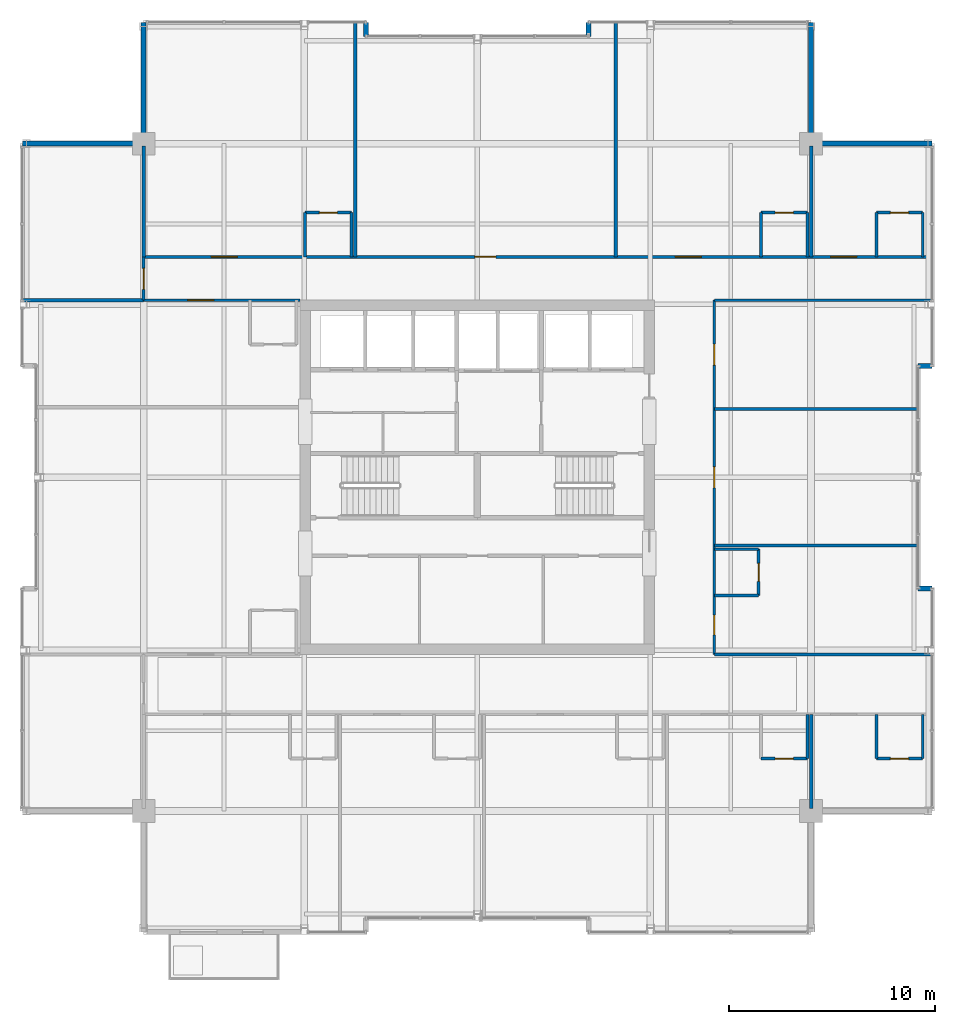
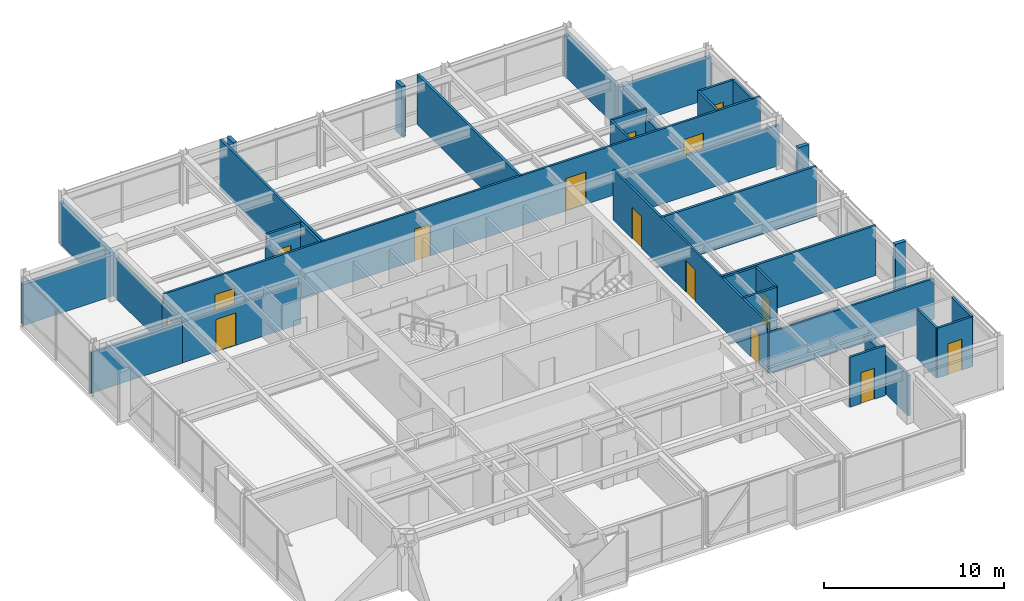
# One storey, part 30 of 34: 39 walls, 15 doors, 15 openings.
"""IFC4 building model written with IfcOpenShell, lengths in metres."""

from ifc_helpers import new_model, si_unit, direction, frame, frame_2d, origin, place, context, subcontext, project, spatial, rectangle, extrude, material, layer, layer_set, type_object, element, fill, save


model = new_model("IFC4")

# Units and contexts
model_context = context("Model", 3, precision=1e-05, world=origin(), true_north=direction((0.0, 1.0)))
body_context = subcontext(model_context, "Body", "Model", "MODEL_VIEW")
ifc_project = project(units=[si_unit("LENGTHUNIT", "METRE"), si_unit("AREAUNIT", "SQUARE_METRE"), si_unit("VOLUMEUNIT", "CUBIC_METRE"), si_unit("PLANEANGLEUNIT", "RADIAN"), si_unit("MASSUNIT", "GRAM", prefix="KILO")], contexts=[model_context])

# Site, building, storey
site_placement = place(None, origin())
site = spatial("IfcSite", under=ifc_project, at=site_placement, CompositionType="ELEMENT")
building_placement = place(site_placement, origin())
building = spatial("IfcBuilding", under=site, at=building_placement, Name="Drelvath Grand Hotel", CompositionType="ELEMENT")
storey_placement = place(building_placement, frame((0.0, 0.0, 286.89990234375)))
storey = spatial("IfcBuildingStorey", under=building, at=storey_placement, Name="L75", CompositionType="ELEMENT", Elevation=286.89990234375)

# Wall, openings, doors
ifc_material_1 = material(Name="Gypsum Fireboard Partition")
ifc_layer_1 = layer(ifc_material_1, 0.135009765625)
ifc_layer_set_1 = layer_set([ifc_layer_1], Name="Gypsum Fireboard Partition")
wall_type_1 = type_object("IfcWallType", Name="Corridor Fire Barrier Wall 135", PredefinedType="PARTITIONING", material=ifc_layer_set_1)
wall_1_placement = place(storey_placement, frame((-16.199951171875, 37.699951171875, 0.0), z_axis=(0.0, 0.0, 1.0), x_axis=(1.0, 0.0, 0.0)))
wall_1 = element("IfcWall", 1, at=wall_1_placement, inside=storey, type_object=wall_type_1, Name="L75 North Cross-Gallery Wall", PredefinedType="PARTITIONING", context=body_context, shape_type="SweptSolid", body=[
    extrude(rectangle(XDim=38.280029296875, YDim=0.135009765625, at=frame_2d((19.14013671875, 0.0))), origin(), (0.0, 0.0, 1.0), 3.39013671875),
])
opening_1_placement = place(wall_1_placement, frame((33.35498046875, 0.0, 0.0)))
opening_1 = element("IfcOpeningElement", 2, at=opening_1_placement, cuts=wall_1, Name="Opening D-T5G3-024", PredefinedType="OPENING", context=body_context, shape_type="SweptSolid", body=[
    extrude(rectangle(XDim=1.260009765625, YDim=2.199951171875, at=frame_2d((0.6298828125, 1.10009765625))), frame((0.0, 0.077392578125, 0.0), z_axis=(0.0, -1.0, 0.0), x_axis=(1.0, 0.0, 0.0)), (0.0, 0.0, 1.0), 0.155029296875),
])
opening_2_placement = place(wall_1_placement, frame((3.29150390625, 0.0, 0.0)))
opening_2 = element("IfcOpeningElement", 3, at=opening_2_placement, cuts=wall_1, Name="Opening D-T5G3-034", PredefinedType="OPENING", context=body_context, shape_type="SweptSolid", body=[
    extrude(rectangle(XDim=1.260009765625, YDim=2.199951171875, at=frame_2d((0.6298828125, 1.10009765625))), frame((0.0, 0.077392578125, 0.0), z_axis=(0.0, -1.0, 0.0), x_axis=(1.0, 0.0, 0.0)), (0.0, 0.0, 1.0), 0.155029296875),
])
opening_3_placement = place(wall_1_placement, frame((16.085205078125, 0.0, 0.0)))
opening_3 = element("IfcOpeningElement", 4, at=opening_3_placement, cuts=wall_1, Name="Opening D-T5G3-035", PredefinedType="OPENING", context=body_context, shape_type="SweptSolid", body=[
    extrude(rectangle(XDim=1.02001953125, YDim=2.14990234375, at=frame_2d((0.510009765625, 1.074951171875))), frame((0.0, 0.077392578125, 0.0), z_axis=(0.0, -1.0, 0.0), x_axis=(1.0, 0.0, 0.0)), (0.0, 0.0, 1.0), 0.155029296875),
])
opening_4_placement = place(wall_1_placement, frame((25.8134765625, 0.0, 0.0)))
opening_4 = element("IfcOpeningElement", 5, at=opening_4_placement, cuts=wall_1, Name="Opening D-T5G3-037", PredefinedType="OPENING", context=body_context, shape_type="SweptSolid", body=[
    extrude(rectangle(XDim=1.260009765625, YDim=2.199951171875, at=frame_2d((0.6298828125, 1.10009765625))), frame((0.0, 0.077392578125, 0.0), z_axis=(0.0, -1.0, 0.0), x_axis=(1.0, 0.0, 0.0)), (0.0, 0.0, 1.0), 0.155029296875),
])
ifc_material_2 = material(Name="Hardwood Walnut Timber", Category="wood")
door_type_1 = type_object("IfcDoorType", Name="Amenity Meeting Fire Door 1020x2150", OperationType="NOTDEFINED", PredefinedType="DOOR", material=ifc_material_2)
door_1_placement = place(opening_3_placement, origin())
door_1 = element("IfcDoor", 6, at=door_1_placement, inside=storey, type_object=door_type_1, Name="L75 Champagne Tasting Salon Entry Door", OperationType="SINGLE_SWING_RIGHT", OverallHeight=2.14990234375, OverallWidth=1.02001953125, PredefinedType="DOOR", context=body_context, shape_type="SweptSolid", body=[
    extrude(rectangle(XDim=1.02001953125, YDim=2.14990234375, at=frame_2d((0.510009765625, 1.074951171875))), frame((0.0, 0.02490234375, 0.0), z_axis=(0.0, -1.0, 0.0), x_axis=(1.0, 0.0, 0.0)), (0.0, 0.0, 1.0), 0.050048828125),
])
fill(opening_3, door_1)
door_type_2 = type_object("IfcDoorType", Name="Suite Entrance Fire Door 1260x2200", OperationType="NOTDEFINED", PredefinedType="DOOR", material=ifc_material_2)
door_2_placement = place(opening_1_placement, origin())
door_2 = element("IfcDoor", 7, at=door_2_placement, inside=storey, type_object=door_type_2, Name="L75 Royal Suite Entry Door", OperationType="SINGLE_SWING_LEFT", OverallHeight=2.199951171875, OverallWidth=1.260009765625, PredefinedType="DOOR", context=body_context, shape_type="SweptSolid", body=[
    extrude(rectangle(XDim=1.260009765625, YDim=2.199951171875, at=frame_2d((0.6298828125, 1.10009765625))), frame((0.0, 0.02490234375, 0.0), z_axis=(0.0, -1.0, 0.0), x_axis=(1.0, 0.0, 0.0)), (0.0, 0.0, 1.0), 0.050048828125),
])
fill(opening_1, door_2)
door_3_placement = place(opening_2_placement, origin())
door_3 = element("IfcDoor", 8, at=door_3_placement, inside=storey, type_object=door_type_2, Name="L75 Royal Suite Entry Door", OperationType="SINGLE_SWING_LEFT", OverallHeight=2.199951171875, OverallWidth=1.260009765625, PredefinedType="DOOR", context=body_context, shape_type="SweptSolid", body=[
    extrude(rectangle(XDim=1.260009765625, YDim=2.199951171875, at=frame_2d((0.6298828125, 1.10009765625))), frame((0.0, 0.02490234375, 0.0), z_axis=(0.0, -1.0, 0.0), x_axis=(1.0, 0.0, 0.0)), (0.0, 0.0, 1.0), 0.050048828125),
])
fill(opening_2, door_3)
door_4_placement = place(opening_4_placement, origin())
door_4 = element("IfcDoor", 9, at=door_4_placement, inside=storey, type_object=door_type_2, Name="L75 Royal Suite Entry Door", OperationType="SINGLE_SWING_RIGHT", OverallHeight=2.199951171875, OverallWidth=1.260009765625, PredefinedType="DOOR", context=body_context, shape_type="SweptSolid", body=[
    extrude(rectangle(XDim=1.260009765625, YDim=2.199951171875, at=frame_2d((0.6298828125, 1.10009765625))), frame((0.0, 0.02490234375, 0.0), z_axis=(0.0, -1.0, 0.0), x_axis=(1.0, 0.0, 0.0)), (0.0, 0.0, 1.0), 0.050048828125),
])
fill(opening_4, door_4)

# Wall
wall_2_placement = place(storey_placement, frame((11.5, 18.39990234375, 0.0), z_axis=(0.0, 0.0, 1.0), x_axis=(1.0, 0.0, 0.0)))
element("IfcWall", 10, at=wall_2_placement, inside=storey, type_object=wall_type_1, Name="L75 South Gallery Inner East Wall", PredefinedType="PARTITIONING", context=body_context, shape_type="SweptSolid", body=[
    extrude(rectangle(XDim=10.580078125, YDim=0.135009765625, at=frame_2d((5.2900390625, 0.0))), origin(), (0.0, 0.0, 1.0), 2.767578125),
])

# Wall, opening, door
wall_3_placement = place(storey_placement, frame((-16.199951171875, 35.60009765625, 0.0), z_axis=(0.0, 0.0, 1.0), x_axis=(1.0, 0.0, 0.0)))
wall_3 = element("IfcWall", 11, at=wall_3_placement, inside=storey, type_object=wall_type_1, Name="L75 North Gallery Inner West Wall", PredefinedType="PARTITIONING", context=body_context, shape_type="SweptSolid", body=[
    extrude(rectangle(XDim=7.599853515625, YDim=0.135009765625, at=frame_2d((3.7998046875, 0.0))), origin(), (0.0, 0.0, 1.0), 2.767578125),
])
opening_5_placement = place(wall_3_placement, frame((2.155029296875, 0.0, 0.0)))
opening_5 = element("IfcOpeningElement", 12, at=opening_5_placement, cuts=wall_3, Name="Opening D-T5G3-045", PredefinedType="OPENING", context=body_context, shape_type="SweptSolid", body=[
    extrude(rectangle(XDim=1.260009765625, YDim=2.199951171875, at=frame_2d((0.6298828125, 1.10009765625))), frame((0.0, 0.077392578125, 0.0), z_axis=(0.0, -1.0, 0.0), x_axis=(1.0, 0.0, 0.0)), (0.0, 0.0, 1.0), 0.155029296875),
])
door_5_placement = place(opening_5_placement, origin())
door_5 = element("IfcDoor", 13, at=door_5_placement, inside=storey, type_object=door_type_2, Name="L75 Royal Suite Entry Door", OperationType="SINGLE_SWING_RIGHT", OverallHeight=2.199951171875, OverallWidth=1.260009765625, PredefinedType="DOOR", context=body_context, shape_type="SweptSolid", body=[
    extrude(rectangle(XDim=1.260009765625, YDim=2.199951171875, at=frame_2d((0.6298828125, 1.10009765625))), frame((0.0, 0.02490234375, 0.0), z_axis=(0.0, -1.0, 0.0), x_axis=(1.0, 0.0, 0.0)), (0.0, 0.0, 1.0), 0.050048828125),
])
fill(opening_5, door_5)

# Wall
wall_4_placement = place(storey_placement, frame((11.5, 35.60009765625, 0.0), z_axis=(0.0, 0.0, 1.0), x_axis=(1.0, 0.0, 0.0)))
element("IfcWall", 14, at=wall_4_placement, inside=storey, type_object=wall_type_1, Name="L75 North Gallery Inner East Wall", PredefinedType="PARTITIONING", context=body_context, shape_type="SweptSolid", body=[
    extrude(rectangle(XDim=10.580078125, YDim=0.135009765625, at=frame_2d((5.2900390625, 0.0))), origin(), (0.0, 0.0, 1.0), 2.767578125),
])

# Wall, openings, doors
wall_5_placement = place(storey_placement, frame((11.5, 18.39990234375, 0.0), z_axis=(0.0, 0.0, 1.0), x_axis=(0.0, 1.0, 0.0)))
wall_5 = element("IfcWall", 15, at=wall_5_placement, inside=storey, type_object=wall_type_1, Name="L75 East Gallery Link Wall", PredefinedType="PARTITIONING", context=body_context, shape_type="SweptSolid", body=[
    extrude(rectangle(XDim=17.2001953125, YDim=0.135009765625, at=frame_2d((8.60009765625, 0.0))), origin(), (0.0, 0.0, 1.0), 3.39013671875),
])
opening_6_placement = place(wall_5_placement, frame((0.951171875, 0.0, 0.0)))
opening_6 = element("IfcOpeningElement", 16, at=opening_6_placement, cuts=wall_5, Name="Opening D-T5G3-039", PredefinedType="OPENING", context=body_context, shape_type="SweptSolid", body=[
    extrude(rectangle(XDim=0.9599609375, YDim=2.14990234375, at=frame_2d((0.47998046875, 1.074951171875))), frame((0.0, 0.077392578125, 0.0), z_axis=(0.0, -1.0, 0.0), x_axis=(1.0, 0.0, 0.0)), (0.0, 0.0, 1.0), 0.155029296875),
])
opening_7_placement = place(wall_5_placement, frame((8.090087890625, 0.0, 0.0)))
opening_7 = element("IfcOpeningElement", 17, at=opening_7_placement, cuts=wall_5, Name="Opening D-T5G3-040", PredefinedType="OPENING", context=body_context, shape_type="SweptSolid", body=[
    extrude(rectangle(XDim=1.02001953125, YDim=2.14990234375, at=frame_2d((0.510009765625, 1.074951171875))), frame((0.0, 0.077392578125, 0.0), z_axis=(0.0, -1.0, 0.0), x_axis=(1.0, 0.0, 0.0)), (0.0, 0.0, 1.0), 0.155029296875),
])
opening_8_placement = place(wall_5_placement, frame((14.0439453125, 0.0, 0.0)))
opening_8 = element("IfcOpeningElement", 18, at=opening_8_placement, cuts=wall_5, Name="Opening D-T5G3-041", PredefinedType="OPENING", context=body_context, shape_type="SweptSolid", body=[
    extrude(rectangle(XDim=1.02001953125, YDim=2.14990234375, at=frame_2d((0.510009765625, 1.074951171875))), frame((0.0, 0.077392578125, 0.0), z_axis=(0.0, -1.0, 0.0), x_axis=(1.0, 0.0, 0.0)), (0.0, 0.0, 1.0), 0.155029296875),
])
door_6_placement = place(opening_7_placement, origin())
door_6 = element("IfcDoor", 19, at=door_6_placement, inside=storey, type_object=door_type_1, Name="L75 Royal Concierge Office Entry Door", OperationType="SINGLE_SWING_LEFT", OverallHeight=2.14990234375, OverallWidth=1.02001953125, PredefinedType="DOOR", context=body_context, shape_type="SweptSolid", body=[
    extrude(rectangle(XDim=1.02001953125, YDim=2.14990234375, at=frame_2d((0.510009765625, 1.074951171875))), frame((0.0, 0.02490234375, 0.0), z_axis=(0.0, -1.0, 0.0), x_axis=(1.0, 0.0, 0.0)), (0.0, 0.0, 1.0), 0.050048828125),
])
fill(opening_7, door_6)
door_7_placement = place(opening_8_placement, origin())
door_7 = element("IfcDoor", 20, at=door_7_placement, inside=storey, type_object=door_type_1, Name="L75 Diplomatic Boardroom Entry Door", OperationType="SINGLE_SWING_RIGHT", OverallHeight=2.14990234375, OverallWidth=1.02001953125, PredefinedType="DOOR", context=body_context, shape_type="SweptSolid", body=[
    extrude(rectangle(XDim=1.02001953125, YDim=2.14990234375, at=frame_2d((0.510009765625, 1.074951171875))), frame((0.0, 0.02490234375, 0.0), z_axis=(0.0, -1.0, 0.0), x_axis=(1.0, 0.0, 0.0)), (0.0, 0.0, 1.0), 0.050048828125),
])
fill(opening_8, door_7)
door_type_3 = type_object("IfcDoorType", Name="Guestroom Entrance Fire Door 960x2150", OperationType="NOTDEFINED", PredefinedType="DOOR", material=ifc_material_2)
door_8_placement = place(opening_6_placement, origin())
door_8 = element("IfcDoor", 21, at=door_8_placement, inside=storey, type_object=door_type_3, Name="L75 King Guest Room Entry Door", OperationType="SINGLE_SWING_RIGHT", OverallHeight=2.14990234375, OverallWidth=0.9599609375, PredefinedType="DOOR", context=body_context, shape_type="SweptSolid", body=[
    extrude(rectangle(XDim=0.9599609375, YDim=2.14990234375, at=frame_2d((0.47998046875, 1.074951171875))), frame((0.0, 0.02490234375, 0.0), z_axis=(0.0, -1.0, 0.0), x_axis=(1.0, 0.0, 0.0)), (0.0, 0.0, 1.0), 0.050048828125),
])
fill(opening_6, door_8)

# Wall, opening, door
wall_6_placement = place(storey_placement, frame((-16.199951171875, 35.60009765625, 0.0), z_axis=(0.0, 0.0, 1.0), x_axis=(0.0, 1.0, 0.0)))
wall_6 = element("IfcWall", 22, at=wall_6_placement, inside=storey, type_object=wall_type_1, Name="L75 North Gallery West End", PredefinedType="PARTITIONING", context=body_context, shape_type="SweptSolid", body=[
    extrude(rectangle(XDim=2.099853515625, YDim=0.135009765625, at=frame_2d((1.0498046875, 0.0))), origin(), (0.0, 0.0, 1.0), 2.76416015625),
])
opening_9_placement = place(wall_6_placement, frame((0.52001953125, 0.0, 0.0)))
opening_9 = element("IfcOpeningElement", 23, at=opening_9_placement, cuts=wall_6, Name="Opening D-T5G3-020", PredefinedType="OPENING", context=body_context, shape_type="SweptSolid", body=[
    extrude(rectangle(XDim=1.02001953125, YDim=2.14990234375, at=frame_2d((0.510009765625, 1.074951171875))), frame((0.0, 0.077392578125, 0.0), z_axis=(0.0, -1.0, 0.0), x_axis=(1.0, 0.0, 0.0)), (0.0, 0.0, 1.0), 0.155029296875),
])
door_9_placement = place(opening_9_placement, origin())
door_9 = element("IfcDoor", 24, at=door_9_placement, inside=storey, type_object=door_type_1, Name="L75 Corner Panorama Lounge Door", OperationType="SINGLE_SWING_LEFT", OverallHeight=2.14990234375, OverallWidth=1.02001953125, PredefinedType="DOOR", context=body_context, shape_type="SweptSolid", body=[
    extrude(rectangle(XDim=1.02001953125, YDim=2.14990234375, at=frame_2d((0.510009765625, 1.074951171875))), frame((0.0, 0.02490234375, 0.0), z_axis=(0.0, -1.0, 0.0), x_axis=(1.0, 0.0, 0.0)), (0.0, 0.0, 1.0), 0.050048828125),
])
fill(opening_9, door_9)

# Walls
ifc_material_3 = material(Name="Moisture-Resistant Gypsum Board")
ifc_layer_2 = layer(ifc_material_3, 0.139892578125)
ifc_layer_set_2 = layer_set([ifc_layer_2], Name="Moisture-Resistant Gypsum Board")
wall_type_2 = type_object("IfcWallType", Name="En-Suite Plumbing Wall 140", PredefinedType="PLUMBINGWALL", material=ifc_layer_set_2)
for number, where, z_axis, x_axis, name in (
    (25, (19.3701171875, 15.5, 0.0), (0.0, 0.0, 1.0), (0.0, -1.0, 0.0), "L75 En-Suite Left Wall"),
    (26, (21.6201171875, 15.5, 0.0), (0.0, 0.0, 1.0), (0.0, -1.0, 0.0), "L75 En-Suite Right Wall"),
):
    element("IfcWall", number, at=place(storey_placement, frame(where, z_axis=z_axis, x_axis=x_axis)), inside=storey, type_object=wall_type_2, Name=name, PredefinedType="PLUMBINGWALL", context=body_context, shape_type="SweptSolid", body=[
        extrude(rectangle(XDim=2.14990234375, YDim=0.139892578125, at=frame_2d((1.074951171875, 0.0))), origin(), (0.0, 0.0, 1.0), 3.39013671875),
    ])

# Wall, opening, door
wall_7_placement = place(storey_placement, frame((19.3701171875, 13.35009765625, 0.0), z_axis=(0.0, 0.0, 1.0), x_axis=(1.0, 0.0, 0.0)))
wall_7 = element("IfcWall", 27, at=wall_7_placement, inside=storey, type_object=wall_type_2, Name="L75 En-Suite Front Wall", PredefinedType="PLUMBINGWALL", context=body_context, shape_type="SweptSolid", body=[
    extrude(rectangle(XDim=2.25, YDim=0.139892578125, at=frame_2d((1.125, 0.0))), origin(), (0.0, 0.0, 1.0), 3.39013671875),
])
opening_10_placement = place(wall_7_placement, frame((0.68505859375, 0.0, 0.0)))
opening_10 = element("IfcOpeningElement", 28, at=opening_10_placement, cuts=wall_7, Name="Opening D-T5G3-021", PredefinedType="OPENING", context=body_context, shape_type="SweptSolid", body=[
    extrude(rectangle(XDim=0.8798828125, YDim=2.10009765625, at=frame_2d((0.43994140625, 1.050048828125))), frame((0.0, 0.079833984375, 0.0), z_axis=(0.0, -1.0, 0.0), x_axis=(1.0, 0.0, 0.0)), (0.0, 0.0, 1.0), 0.159912109375),
])
door_type_4 = type_object("IfcDoorType", Name="En-Suite Bathroom Door 880x2100", OperationType="NOTDEFINED", PredefinedType="DOOR", material=ifc_material_2)
door_10_placement = place(opening_10_placement, origin())
door_10 = element("IfcDoor", 29, at=door_10_placement, inside=storey, type_object=door_type_4, Name="L75 En-Suite Bathroom Door", OperationType="SINGLE_SWING_RIGHT", OverallHeight=2.10009765625, OverallWidth=0.8798828125, PredefinedType="DOOR", context=body_context, shape_type="SweptSolid", body=[
    extrude(rectangle(XDim=0.8798828125, YDim=2.10009765625, at=frame_2d((0.43994140625, 1.050048828125))), frame((0.0, 0.02490234375, 0.0), z_axis=(0.0, -1.0, 0.0), x_axis=(1.0, 0.0, 0.0)), (0.0, 0.0, 1.0), 0.050048828125),
])
fill(opening_10, door_10)

# Walls
for number, where, z_axis, x_axis, name in (
    (30, (19.3701171875, 37.699951171875, 0.0), (0.0, 0.0, 1.0), (0.0, 1.0, 0.0), "L75 En-Suite Left Wall"),
    (31, (21.6201171875, 37.699951171875, 0.0), (0.0, 0.0, 1.0), (0.0, 1.0, 0.0), "L75 En-Suite Right Wall"),
):
    element("IfcWall", number, at=place(storey_placement, frame(where, z_axis=z_axis, x_axis=x_axis)), inside=storey, type_object=wall_type_2, Name=name, PredefinedType="PLUMBINGWALL", context=body_context, shape_type="SweptSolid", body=[
        extrude(rectangle(XDim=2.150146484375, YDim=0.139892578125, at=frame_2d((1.0751953125, 0.0))), origin(), (0.0, 0.0, 1.0), 3.39013671875),
    ])

# Wall, opening, door
wall_8_placement = place(storey_placement, frame((19.3701171875, 39.85009765625, 0.0), z_axis=(0.0, 0.0, 1.0), x_axis=(1.0, 0.0, 0.0)))
wall_8 = element("IfcWall", 32, at=wall_8_placement, inside=storey, type_object=wall_type_2, Name="L75 En-Suite Front Wall", PredefinedType="PLUMBINGWALL", context=body_context, shape_type="SweptSolid", body=[
    extrude(rectangle(XDim=2.25, YDim=0.139892578125, at=frame_2d((1.125, 0.0))), origin(), (0.0, 0.0, 1.0), 3.39013671875),
])
opening_11_placement = place(wall_8_placement, frame((0.68505859375, 0.0, 0.0)))
opening_11 = element("IfcOpeningElement", 33, at=opening_11_placement, cuts=wall_8, Name="Opening D-T5G3-023", PredefinedType="OPENING", context=body_context, shape_type="SweptSolid", body=[
    extrude(rectangle(XDim=0.8798828125, YDim=2.10009765625, at=frame_2d((0.43994140625, 1.050048828125))), frame((0.0, 0.079833984375, 0.0), z_axis=(0.0, -1.0, 0.0), x_axis=(1.0, 0.0, 0.0)), (0.0, 0.0, 1.0), 0.159912109375),
])
door_11_placement = place(opening_11_placement, origin())
door_11 = element("IfcDoor", 34, at=door_11_placement, inside=storey, type_object=door_type_4, Name="L75 En-Suite Bathroom Door", OperationType="SINGLE_SWING_RIGHT", OverallHeight=2.10009765625, OverallWidth=0.8798828125, PredefinedType="DOOR", context=body_context, shape_type="SweptSolid", body=[
    extrude(rectangle(XDim=0.8798828125, YDim=2.10009765625, at=frame_2d((0.43994140625, 1.050048828125))), frame((0.0, 0.02490234375, 0.0), z_axis=(0.0, -1.0, 0.0), x_axis=(1.0, 0.0, 0.0)), (0.0, 0.0, 1.0), 0.050048828125),
])
fill(opening_11, door_11)

# Wall
wall_9_placement = place(storey_placement, frame((16.02001953125, 15.5, 0.0), z_axis=(0.0, 0.0, 1.0), x_axis=(0.0, -1.0, 0.0)))
element("IfcWall", 35, at=wall_9_placement, inside=storey, type_object=wall_type_2, Name="L75 En-Suite Right Wall", PredefinedType="PLUMBINGWALL", context=body_context, shape_type="SweptSolid", body=[
    extrude(rectangle(XDim=2.14990234375, YDim=0.139892578125, at=frame_2d((1.074951171875, 0.0))), origin(), (0.0, 0.0, 1.0), 2.76416015625),
])

# Wall, opening, door
wall_10_placement = place(storey_placement, frame((13.77001953125, 13.35009765625, 0.0), z_axis=(0.0, 0.0, 1.0), x_axis=(1.0, 0.0, 0.0)))
wall_10 = element("IfcWall", 36, at=wall_10_placement, inside=storey, type_object=wall_type_2, Name="L75 En-Suite Front Wall", PredefinedType="PLUMBINGWALL", context=body_context, shape_type="SweptSolid", body=[
    extrude(rectangle(XDim=2.25, YDim=0.139892578125, at=frame_2d((1.125, 0.0))), origin(), (0.0, 0.0, 1.0), 3.39013671875),
])
opening_12_placement = place(wall_10_placement, frame((0.68505859375, 0.0, 0.0)))
opening_12 = element("IfcOpeningElement", 37, at=opening_12_placement, cuts=wall_10, Name="Opening D-T5G3-031", PredefinedType="OPENING", context=body_context, shape_type="SweptSolid", body=[
    extrude(rectangle(XDim=0.8798828125, YDim=2.10009765625, at=frame_2d((0.43994140625, 1.050048828125))), frame((0.0, 0.079833984375, 0.0), z_axis=(0.0, -1.0, 0.0), x_axis=(1.0, 0.0, 0.0)), (0.0, 0.0, 1.0), 0.159912109375),
])
door_12_placement = place(opening_12_placement, origin())
door_12 = element("IfcDoor", 38, at=door_12_placement, inside=storey, type_object=door_type_4, Name="L75 En-Suite Bathroom Door", OperationType="SINGLE_SWING_RIGHT", OverallHeight=2.10009765625, OverallWidth=0.8798828125, PredefinedType="DOOR", context=body_context, shape_type="SweptSolid", body=[
    extrude(rectangle(XDim=0.8798828125, YDim=2.10009765625, at=frame_2d((0.43994140625, 1.050048828125))), frame((0.0, 0.02490234375, 0.0), z_axis=(0.0, -1.0, 0.0), x_axis=(1.0, 0.0, 0.0)), (0.0, 0.0, 1.0), 0.050048828125),
])
fill(opening_12, door_12)

# Walls
wall_11_placement = place(storey_placement, frame((-8.356689453125, 37.699951171875, 0.0), z_axis=(0.0, 0.0, 1.0), x_axis=(0.0, 1.0, 0.0)))
element("IfcWall", 39, at=wall_11_placement, inside=storey, type_object=wall_type_2, Name="L75 En-Suite Left Wall", PredefinedType="PLUMBINGWALL", context=body_context, shape_type="SweptSolid", body=[
    extrude(rectangle(XDim=2.150146484375, YDim=0.139892578125, at=frame_2d((1.0751953125, 0.0))), origin(), (0.0, 0.0, 1.0), 2.767578125),
])
wall_12_placement = place(storey_placement, frame((-6.106689453125, 37.699951171875, 0.0), z_axis=(0.0, 0.0, 1.0), x_axis=(0.0, 1.0, 0.0)))
element("IfcWall", 40, at=wall_12_placement, inside=storey, type_object=wall_type_2, Name="L75 En-Suite Right Wall", PredefinedType="PLUMBINGWALL", context=body_context, shape_type="SweptSolid", body=[
    extrude(rectangle(XDim=2.150146484375, YDim=0.139892578125, at=frame_2d((1.0751953125, 0.0))), origin(), (0.0, 0.0, 1.0), 3.39013671875),
])

# Wall, opening, door
wall_13_placement = place(storey_placement, frame((-8.356689453125, 39.85009765625, 0.0), z_axis=(0.0, 0.0, 1.0), x_axis=(1.0, 0.0, 0.0)))
wall_13 = element("IfcWall", 41, at=wall_13_placement, inside=storey, type_object=wall_type_2, Name="L75 En-Suite Front Wall", PredefinedType="PLUMBINGWALL", context=body_context, shape_type="SweptSolid", body=[
    extrude(rectangle(XDim=2.25, YDim=0.139892578125, at=frame_2d((1.125, 0.0))), origin(), (0.0, 0.0, 1.0), 3.39013671875),
])
opening_13_placement = place(wall_13_placement, frame((0.68505859375, 0.0, 0.0)))
opening_13 = element("IfcOpeningElement", 42, at=opening_13_placement, cuts=wall_13, Name="Opening D-T5G3-033", PredefinedType="OPENING", context=body_context, shape_type="SweptSolid", body=[
    extrude(rectangle(XDim=0.8798828125, YDim=2.10009765625, at=frame_2d((0.43994140625, 1.050048828125))), frame((0.0, 0.079833984375, 0.0), z_axis=(0.0, -1.0, 0.0), x_axis=(1.0, 0.0, 0.0)), (0.0, 0.0, 1.0), 0.159912109375),
])
door_13_placement = place(opening_13_placement, origin())
door_13 = element("IfcDoor", 43, at=door_13_placement, inside=storey, type_object=door_type_4, Name="L75 En-Suite Bathroom Door", OperationType="SINGLE_SWING_RIGHT", OverallHeight=2.10009765625, OverallWidth=0.8798828125, PredefinedType="DOOR", context=body_context, shape_type="SweptSolid", body=[
    extrude(rectangle(XDim=0.8798828125, YDim=2.10009765625, at=frame_2d((0.43994140625, 1.050048828125))), frame((0.0, 0.02490234375, 0.0), z_axis=(0.0, -1.0, 0.0), x_axis=(1.0, 0.0, 0.0)), (0.0, 0.0, 1.0), 0.050048828125),
])
fill(opening_13, door_13)

# Walls
wall_14_placement = place(storey_placement, frame((13.77001953125, 37.699951171875, 0.0), z_axis=(0.0, 0.0, 1.0), x_axis=(0.0, 1.0, 0.0)))
element("IfcWall", 44, at=wall_14_placement, inside=storey, type_object=wall_type_2, Name="L75 En-Suite Left Wall", PredefinedType="PLUMBINGWALL", context=body_context, shape_type="SweptSolid", body=[
    extrude(rectangle(XDim=2.150146484375, YDim=0.139892578125, at=frame_2d((1.0751953125, 0.0))), origin(), (0.0, 0.0, 1.0), 3.39013671875),
])
wall_15_placement = place(storey_placement, frame((16.02001953125, 37.699951171875, 0.0), z_axis=(0.0, 0.0, 1.0), x_axis=(0.0, 1.0, 0.0)))
element("IfcWall", 45, at=wall_15_placement, inside=storey, type_object=wall_type_2, Name="L75 En-Suite Right Wall", PredefinedType="PLUMBINGWALL", context=body_context, shape_type="SweptSolid", body=[
    extrude(rectangle(XDim=2.150146484375, YDim=0.139892578125, at=frame_2d((1.0751953125, 0.0))), origin(), (0.0, 0.0, 1.0), 2.76416015625),
])

# Wall, opening, door
wall_16_placement = place(storey_placement, frame((13.77001953125, 39.85009765625, 0.0), z_axis=(0.0, 0.0, 1.0), x_axis=(1.0, 0.0, 0.0)))
wall_16 = element("IfcWall", 46, at=wall_16_placement, inside=storey, type_object=wall_type_2, Name="L75 En-Suite Front Wall", PredefinedType="PLUMBINGWALL", context=body_context, shape_type="SweptSolid", body=[
    extrude(rectangle(XDim=2.25, YDim=0.139892578125, at=frame_2d((1.125, 0.0))), origin(), (0.0, 0.0, 1.0), 3.39013671875),
])
opening_14_placement = place(wall_16_placement, frame((0.68505859375, 0.0, 0.0)))
opening_14 = element("IfcOpeningElement", 47, at=opening_14_placement, cuts=wall_16, Name="Opening D-T5G3-036", PredefinedType="OPENING", context=body_context, shape_type="SweptSolid", body=[
    extrude(rectangle(XDim=0.8798828125, YDim=2.10009765625, at=frame_2d((0.43994140625, 1.050048828125))), frame((0.0, 0.079833984375, 0.0), z_axis=(0.0, -1.0, 0.0), x_axis=(1.0, 0.0, 0.0)), (0.0, 0.0, 1.0), 0.159912109375),
])
door_14_placement = place(opening_14_placement, origin())
door_14 = element("IfcDoor", 48, at=door_14_placement, inside=storey, type_object=door_type_4, Name="L75 En-Suite Bathroom Door", OperationType="SINGLE_SWING_LEFT", OverallHeight=2.10009765625, OverallWidth=0.8798828125, PredefinedType="DOOR", context=body_context, shape_type="SweptSolid", body=[
    extrude(rectangle(XDim=0.8798828125, YDim=2.10009765625, at=frame_2d((0.43994140625, 1.050048828125))), frame((0.0, 0.02490234375, 0.0), z_axis=(0.0, -1.0, 0.0), x_axis=(1.0, 0.0, 0.0)), (0.0, 0.0, 1.0), 0.050048828125),
])
fill(opening_14, door_14)

# Walls
for number, where, z_axis, x_axis, name in (
    (49, (11.5, 21.26220703125, 0.0), (0.0, 0.0, 1.0), (1.0, 0.0, 0.0), "L75 En-Suite Left Wall"),
    (50, (11.5, 23.51220703125, 0.0), (0.0, 0.0, 1.0), (1.0, 0.0, 0.0), "L75 En-Suite Right Wall"),
):
    element("IfcWall", number, at=place(storey_placement, frame(where, z_axis=z_axis, x_axis=x_axis)), inside=storey, type_object=wall_type_2, Name=name, PredefinedType="PLUMBINGWALL", context=body_context, shape_type="SweptSolid", body=[
        extrude(rectangle(XDim=2.14990234375, YDim=0.139892578125, at=frame_2d((1.074951171875, 0.0))), origin(), (0.0, 0.0, 1.0), 3.39013671875),
    ])

# Wall, opening, door
wall_17_placement = place(storey_placement, frame((13.64990234375, 21.26220703125, 0.0), z_axis=(0.0, 0.0, 1.0), x_axis=(0.0, 1.0, 0.0)))
wall_17 = element("IfcWall", 51, at=wall_17_placement, inside=storey, type_object=wall_type_2, Name="L75 En-Suite Front Wall", PredefinedType="PLUMBINGWALL", context=body_context, shape_type="SweptSolid", body=[
    extrude(rectangle(XDim=2.25, YDim=0.139892578125, at=frame_2d((1.125, 0.0))), origin(), (0.0, 0.0, 1.0), 3.39013671875),
])
opening_15_placement = place(wall_17_placement, frame((0.68505859375, 0.0, 0.0)))
opening_15 = element("IfcOpeningElement", 52, at=opening_15_placement, cuts=wall_17, Name="Opening D-T5G3-038", PredefinedType="OPENING", context=body_context, shape_type="SweptSolid", body=[
    extrude(rectangle(XDim=0.8798828125, YDim=2.10009765625, at=frame_2d((0.43994140625, 1.050048828125))), frame((0.0, 0.079833984375, 0.0), z_axis=(0.0, -1.0, 0.0), x_axis=(1.0, 0.0, 0.0)), (0.0, 0.0, 1.0), 0.159912109375),
])
door_15_placement = place(opening_15_placement, origin())
door_15 = element("IfcDoor", 53, at=door_15_placement, inside=storey, type_object=door_type_4, Name="L75 En-Suite Bathroom Door", OperationType="SINGLE_SWING_LEFT", OverallHeight=2.10009765625, OverallWidth=0.8798828125, PredefinedType="DOOR", context=body_context, shape_type="SweptSolid", body=[
    extrude(rectangle(XDim=0.8798828125, YDim=2.10009765625, at=frame_2d((0.43994140625, 1.050048828125))), frame((0.0, 0.02490234375, 0.0), z_axis=(0.0, -1.0, 0.0), x_axis=(1.0, 0.0, 0.0)), (0.0, 0.0, 1.0), 0.050048828125),
])
fill(opening_15, door_15)

# Walls
ifc_material_4 = material(Name="Gypsum Acoustic Partition")
ifc_layer_3 = layer(ifc_material_4, 0.14990234375)
ifc_layer_set_3 = layer_set([ifc_layer_3], Name="Gypsum Acoustic Partition")
wall_type_3 = type_object("IfcWallType", Name="Guestroom Demising Wall 150", PredefinedType="PARTITIONING", material=ifc_layer_set_3)
for number, where, z_axis, x_axis, name in (
    (54, (-5.9267578125, 37.699951171875, 0.0), (0.0, 0.0, 1.0), (0.0, 1.0, 0.0), "L75 North Demising 1"),
    (55, (6.717041015625, 37.699951171875, 0.0), (0.0, 0.0, 1.0), (0.0, 1.0, 0.0), "L75 North Demising 2"),
):
    element("IfcWall", number, at=place(storey_placement, frame(where, z_axis=z_axis, x_axis=x_axis)), inside=storey, type_object=wall_type_3, Name=name, PredefinedType="PARTITIONING", context=body_context, shape_type="SweptSolid", body=[
        extrude(rectangle(XDim=11.380126953125, YDim=0.14990234375, at=frame_2d((5.68994140625, 0.0))), origin(), (0.0, 0.0, 1.0), 3.39013671875),
    ])
for number, where, z_axis, x_axis, name in (
    (56, (11.5, 23.6923828125, 0.0), (0.0, 0.0, 1.0), (1.0, 0.0, 0.0), "L75 East Demising 1"),
    (57, (11.5, 30.3076171875, 0.0), (0.0, 0.0, 1.0), (1.0, 0.0, 0.0), "L75 East Demising 2"),
):
    element("IfcWall", number, at=place(storey_placement, frame(where, z_axis=z_axis, x_axis=x_axis)), inside=storey, type_object=wall_type_3, Name=name, PredefinedType="PARTITIONING", context=body_context, shape_type="SweptSolid", body=[
        extrude(rectangle(XDim=9.89990234375, YDim=0.14990234375, at=frame_2d((4.949951171875, 0.0))), origin(), (0.0, 0.0, 1.0), 3.39013671875),
    ])
ifc_layer_4 = layer(ifc_material_4, 0.1650390625)
ifc_layer_set_4 = layer_set([ifc_layer_4], Name="Gypsum Acoustic Partition")
wall_type_4 = type_object("IfcWallType", Name="Suite Demising Wall 165", PredefinedType="PARTITIONING", material=ifc_layer_set_4)
wall_18_placement = place(storey_placement, frame((16.199951171875, 10.919921875, 0.0), z_axis=(0.0, 0.0, 1.0), x_axis=(0.0, 1.0, 0.0)))
element("IfcWall", 58, at=wall_18_placement, inside=storey, type_object=wall_type_4, Name="L75 SE Suite Wall", PredefinedType="PARTITIONING", context=body_context, shape_type="SweptSolid", body=[
    extrude(rectangle(XDim=4.580078125, YDim=0.1650390625, at=frame_2d((2.2900390625, 0.0))), origin(), (0.0, 0.0, 1.0), 2.76416015625),
])
for number, where, z_axis, x_axis, name in (
    (59, (-16.199951171875, 37.699951171875, 0.0), (0.0, 0.0, 1.0), (0.0, 1.0, 0.0), "L75 NW Suite Wall"),
    (60, (16.199951171875, 37.699951171875, 0.0), (0.0, 0.0, 1.0), (0.0, 1.0, 0.0), "L75 NE Suite Wall"),
):
    element("IfcWall", number, at=place(storey_placement, frame(where, z_axis=z_axis, x_axis=x_axis)), inside=storey, type_object=wall_type_4, Name=name, PredefinedType="PARTITIONING", context=body_context, shape_type="SweptSolid", body=[
        extrude(rectangle(XDim=5.380126953125, YDim=0.1650390625, at=frame_2d((2.68994140625, 0.0))), origin(), (0.0, 0.0, 1.0), 2.76416015625),
    ])
wall_19_placement = place(storey_placement, frame((-22.080078125, 35.60009765625, 0.0), z_axis=(0.0, 0.0, 1.0), x_axis=(1.0, 0.0, 0.0)))
element("IfcWall", 61, at=wall_19_placement, inside=storey, type_object=wall_type_4, Name="L75 NW Corner South Wall", PredefinedType="PARTITIONING", context=body_context, shape_type="SweptSolid", body=[
    extrude(rectangle(XDim=5.880126953125, YDim=0.1650390625, at=frame_2d((2.93994140625, 0.0))), origin(), (0.0, 0.0, 1.0), 2.76416015625),
])
ifc_material_5 = material(Name="Pale-Metal Insulated Aluminium Spandrel Assembly", Category="aluminium")
ifc_layer_5 = layer(ifc_material_5, 0.239990234375)
ifc_layer_set_5 = layer_set([ifc_layer_5], Name="Pale-Metal Insulated Aluminium Spandrel Assembly")
wall_type_5 = type_object("IfcWallType", Name="Tower Insulated Metal Spandrel Closure Wall 240", PredefinedType="STANDARD", material=ifc_layer_set_5)
for number, where, z_axis, x_axis, name in (
    (62, (-22.080078125, 43.199951171875, 0.0), (0.0, 0.0, 1.0), (1.0, 0.0, 0.0), "L75 Notched Corner Return Spandrel Wall CNW1"),
    (63, (-16.199951171875, 43.199951171875, 0.0), (0.0, 0.0, 1.0), (0.0, 1.0, 0.0), "L75 Notched Corner Return Spandrel Wall CNW2"),
    (64, (16.199951171875, 49.080078125, 0.0), (0.0, 0.0, 1.0), (0.0, -1.0, 0.0), "L75 Notched Corner Return Spandrel Wall CNE1"),
    (65, (16.199951171875, 43.199951171875, 0.0), (0.0, 0.0, 1.0), (1.0, 0.0, 0.0), "L75 Notched Corner Return Spandrel Wall CNE2"),
):
    element("IfcWall", number, at=place(storey_placement, frame(where, z_axis=z_axis, x_axis=x_axis)), inside=storey, type_object=wall_type_5, Name=name, PredefinedType="STANDARD", context=body_context, shape_type="SweptSolid", body=[
        extrude(rectangle(XDim=5.880126953125, YDim=0.239990234375, at=frame_2d((2.93994140625, 0.0))), origin(), (0.0, 0.0, 1.0), 2.779052734375),
    ])
for number, where, z_axis, x_axis, name in (
    (66, (22.080078125, 32.39990234375, 0.0), (0.0, 0.0, 1.0), (-1.0, 0.0, 0.0), "L75 Notched Corner Return Spandrel Wall RE1"),
    (67, (21.39990234375, 21.60009765625, 0.0), (0.0, 0.0, 1.0), (1.0, 0.0, 0.0), "L75 Notched Corner Return Spandrel Wall RE2"),
    (68, (-5.39990234375, 49.080078125, 0.0), (0.0, 0.0, 1.0), (0.0, -1.0, 0.0), "L75 Notched Corner Return Spandrel Wall RN1"),
    (69, (5.39990234375, 48.39990234375, 0.0), (0.0, 0.0, 1.0), (0.0, 1.0, 0.0), "L75 Notched Corner Return Spandrel Wall RN2"),
):
    element("IfcWall", number, at=place(storey_placement, frame(where, z_axis=z_axis, x_axis=x_axis)), inside=storey, type_object=wall_type_5, Name=name, PredefinedType="STANDARD", context=body_context, shape_type="SweptSolid", body=[
        extrude(rectangle(XDim=0.68017578125, YDim=0.239990234375, at=frame_2d((0.340087890625, 0.0))), origin(), (0.0, 0.0, 1.0), 3.39013671875),
    ])

save(model, "model.ifc")
